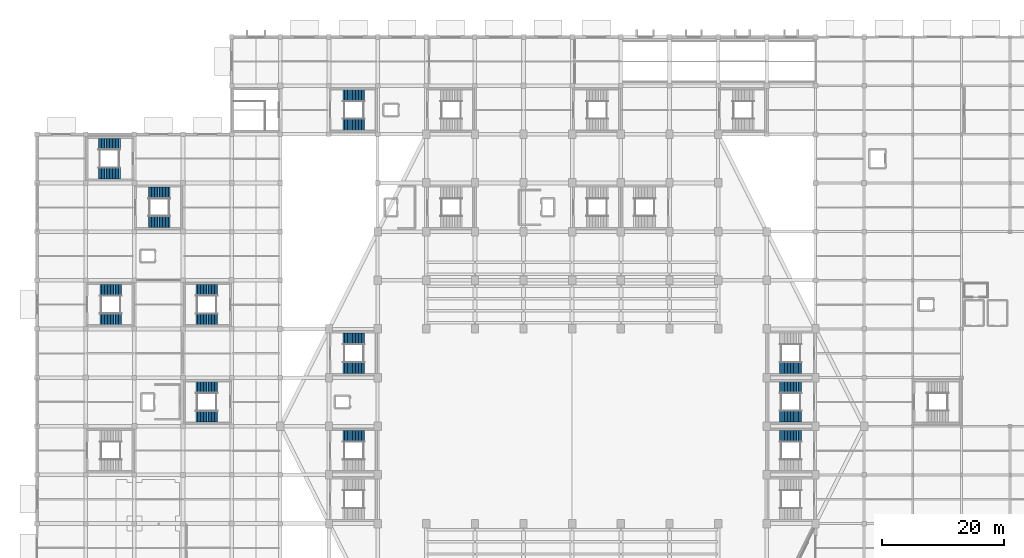
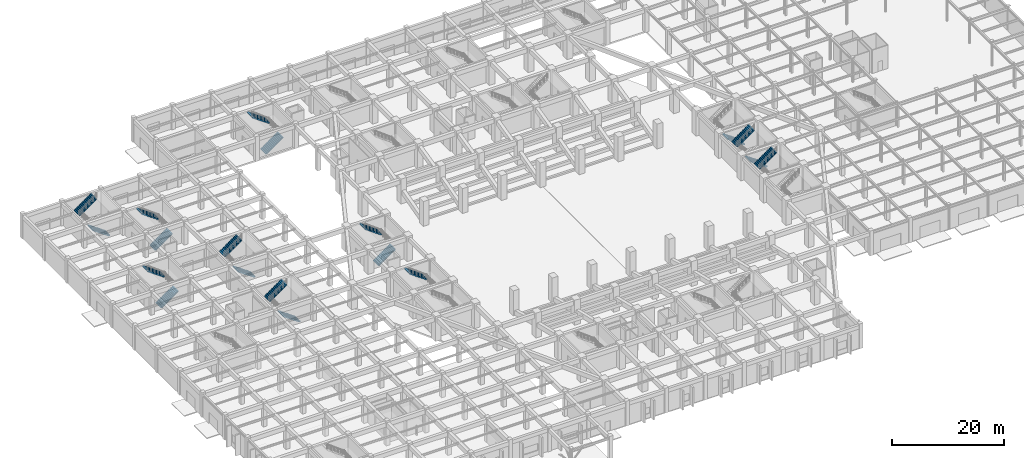
# One storey, part 33 of 39: 19 stair flights, 11 elements without a shape of their own.
"""IFC4 building model written with IfcOpenShell, lengths in metres."""

from ifc_helpers import new_model, si_unit, direction, frame, origin, place, context, subcontext, project, spatial, polyline, outline, extrude, material, type_object, element, aggregate, save


model = new_model("IFC4")

# Units and contexts
model_context = context("Model", 3, precision=1e-05, world=origin(), true_north=direction((0.0, 1.0)))
body_context = subcontext(model_context, "Body", "Model", "MODEL_VIEW")
ifc_project = project(units=[si_unit("LENGTHUNIT", "METRE"), si_unit("AREAUNIT", "SQUARE_METRE"), si_unit("VOLUMEUNIT", "CUBIC_METRE"), si_unit("PLANEANGLEUNIT", "RADIAN"), si_unit("MASSUNIT", "GRAM", prefix="KILO")], contexts=[model_context])

# Site, building, storey
site_placement = place(None, origin())
site = spatial("IfcSite", under=ifc_project, at=site_placement, CompositionType="ELEMENT")
building_placement = place(site_placement, origin())
building = spatial("IfcBuilding", under=site, at=building_placement, Name="Tazarka Park Arena", CompositionType="ELEMENT")
storey_placement = place(building_placement, origin())
storey = spatial("IfcBuildingStorey", under=building, at=storey_placement, Name="L00", CompositionType="ELEMENT", Elevation=0.0)

# Stair, stair flights
ifc_material_1 = material(Name="Precast concrete C40/50", Category="concrete")
stair_type_1 = type_object("IfcStairType", Name="STR-2400", PredefinedType="HALF_TURN_STAIR", material=ifc_material_1)
stair_1_placement = place(storey_placement, origin())
stair_1 = element("IfcStair", 1, at=stair_1_placement, inside=storey, type_object=stair_type_1, Name="Stair ST02 L00", PredefinedType="HALF_TURN_STAIR")
ifc_material_2 = material(Name="Precast concrete C40/50", Category="concrete")
stair_flight_type_1 = type_object("IfcStairFlightType", Name="FLT-1350", PredefinedType="STRAIGHT", material=ifc_material_2)
stair_flight_1_placement = place(storey_placement, frame((10.31494140625, 81.6298828125, 0.0), z_axis=(0.0, 0.0, 1.0), x_axis=(1.0, 0.0, 0.0)))
stair_flight_1 = element("IfcStairFlight", 2, at=stair_flight_1_placement, type_object=stair_flight_type_1, Name="ST02-L00 flight 1", NumberOfRisers=15, NumberOfTreads=14, PredefinedType="STRAIGHT", RiserHeight=0.18, TreadLength=0.255, context=body_context, shape_type="SweptSolid", body=[
    extrude(outline(polyline([(0.0, 0.0), (0.0, 0.179931640625), (0.2548828125, 0.179931640625), (0.2548828125, 0.360107421875), (0.510009765625, 0.360107421875), (0.510009765625, 0.5400390625), (0.764892578125, 0.5400390625), (0.764892578125, 0.719970703125), (1.02001953125, 0.719970703125), (1.02001953125, 0.89990234375), (1.27490234375, 0.89990234375), (1.27490234375, 1.080078125), (1.530029296875, 1.080078125), (1.530029296875, 1.260009765625), (1.784912109375, 1.260009765625), (1.784912109375, 1.43994140625), (2.0400390625, 1.43994140625), (2.0400390625, 1.6201171875), (2.294921875, 1.6201171875), (2.294921875, 1.800048828125), (2.550048828125, 1.800048828125), (2.550048828125, 1.97998046875), (2.804931640625, 1.97998046875), (2.804931640625, 2.159912109375), (3.06005859375, 2.159912109375), (3.06005859375, 2.340087890625), (3.31494140625, 2.340087890625), (3.31494140625, 2.52001953125), (3.570068359375, 2.52001953125), (3.570068359375, 2.699951171875), (3.570068359375, 2.2998046875), (0.31201171875, 0.0), (0.0, 0.0)])), frame((0.0, 0.969970703125, 0.0), z_axis=(0.0, -1.0, 0.0), x_axis=(1.0, 0.0, 0.0)), (0.0, 0.0, 1.0), 1.93994140625),
])
stair_flight_2_placement = place(storey_placement, frame((13.885009765625, 86.3701171875, 2.699951171875), z_axis=(0.0, 0.0, 1.0), x_axis=(-1.0, 0.0, 0.0)))
stair_flight_2 = element("IfcStairFlight", 3, at=stair_flight_2_placement, type_object=stair_flight_type_1, Name="ST02-L00 flight 2", NumberOfRisers=15, NumberOfTreads=14, PredefinedType="STRAIGHT", RiserHeight=0.18, TreadLength=0.255, context=body_context, shape_type="SweptSolid", body=[
    extrude(outline(polyline([(0.0, 0.0), (0.0, 0.179931640625), (0.2548828125, 0.179931640625), (0.2548828125, 0.360107421875), (0.510009765625, 0.360107421875), (0.510009765625, 0.5400390625), (0.764892578125, 0.5400390625), (0.764892578125, 0.719970703125), (1.02001953125, 0.719970703125), (1.02001953125, 0.89990234375), (1.27490234375, 0.89990234375), (1.27490234375, 1.080078125), (1.530029296875, 1.080078125), (1.530029296875, 1.260009765625), (1.784912109375, 1.260009765625), (1.784912109375, 1.43994140625), (2.0400390625, 1.43994140625), (2.0400390625, 1.6201171875), (2.294921875, 1.6201171875), (2.294921875, 1.800048828125), (2.550048828125, 1.800048828125), (2.550048828125, 1.97998046875), (2.804931640625, 1.97998046875), (2.804931640625, 2.159912109375), (3.06005859375, 2.159912109375), (3.06005859375, 2.340087890625), (3.31494140625, 2.340087890625), (3.31494140625, 2.52001953125), (3.570068359375, 2.52001953125), (3.570068359375, 2.699951171875), (3.570068359375, 2.2998046875), (0.31201171875, 0.0), (0.0, 0.0)])), frame((0.0, 0.969970703125, 0.0), z_axis=(0.0, -1.0, 0.0), x_axis=(1.0, 0.0, 0.0)), (0.0, 0.0, 1.0), 1.93994140625),
])
aggregate(stair_1, [stair_flight_1, stair_flight_2])

stair_2_placement = place(storey_placement, origin())
stair_2 = element("IfcStair", 4, at=stair_2_placement, inside=storey, type_object=stair_type_1, Name="Stair ST03 L00", PredefinedType="HALF_TURN_STAIR")
stair_flight_3_placement = place(storey_placement, frame((18.31494140625, 97.6298828125, 0.0), z_axis=(0.0, 0.0, 1.0), x_axis=(1.0, 0.0, 0.0)))
stair_flight_3 = element("IfcStairFlight", 5, at=stair_flight_3_placement, type_object=stair_flight_type_1, Name="ST03-L00 flight 1", NumberOfRisers=15, NumberOfTreads=14, PredefinedType="STRAIGHT", RiserHeight=0.18, TreadLength=0.255, context=body_context, shape_type="SweptSolid", body=[
    extrude(outline(polyline([(0.0, 0.0), (0.0, 0.179931640625), (0.2548828125, 0.179931640625), (0.2548828125, 0.360107421875), (0.510009765625, 0.360107421875), (0.510009765625, 0.5400390625), (0.764892578125, 0.5400390625), (0.764892578125, 0.719970703125), (1.02001953125, 0.719970703125), (1.02001953125, 0.89990234375), (1.27490234375, 0.89990234375), (1.27490234375, 1.080078125), (1.530029296875, 1.080078125), (1.530029296875, 1.260009765625), (1.784912109375, 1.260009765625), (1.784912109375, 1.43994140625), (2.0400390625, 1.43994140625), (2.0400390625, 1.6201171875), (2.294921875, 1.6201171875), (2.294921875, 1.800048828125), (2.550048828125, 1.800048828125), (2.550048828125, 1.97998046875), (2.804931640625, 1.97998046875), (2.804931640625, 2.159912109375), (3.06005859375, 2.159912109375), (3.06005859375, 2.340087890625), (3.31494140625, 2.340087890625), (3.31494140625, 2.52001953125), (3.570068359375, 2.52001953125), (3.570068359375, 2.699951171875), (3.570068359375, 2.2998046875), (0.31201171875, 0.0), (0.0, 0.0)])), frame((0.0, 0.969970703125, 0.0), z_axis=(0.0, -1.0, 0.0), x_axis=(1.0, 0.0, 0.0)), (0.0, 0.0, 1.0), 1.93994140625),
])
stair_flight_4_placement = place(storey_placement, frame((21.885009765625, 102.3701171875, 2.699951171875), z_axis=(0.0, 0.0, 1.0), x_axis=(-1.0, 0.0, 0.0)))
stair_flight_4 = element("IfcStairFlight", 6, at=stair_flight_4_placement, type_object=stair_flight_type_1, Name="ST03-L00 flight 2", NumberOfRisers=15, NumberOfTreads=14, PredefinedType="STRAIGHT", RiserHeight=0.18, TreadLength=0.255, context=body_context, shape_type="SweptSolid", body=[
    extrude(outline(polyline([(0.0, 0.0), (0.0, 0.179931640625), (0.2548828125, 0.179931640625), (0.2548828125, 0.360107421875), (0.510009765625, 0.360107421875), (0.510009765625, 0.5400390625), (0.764892578125, 0.5400390625), (0.764892578125, 0.719970703125), (1.02001953125, 0.719970703125), (1.02001953125, 0.89990234375), (1.27490234375, 0.89990234375), (1.27490234375, 1.080078125), (1.530029296875, 1.080078125), (1.530029296875, 1.260009765625), (1.784912109375, 1.260009765625), (1.784912109375, 1.43994140625), (2.0400390625, 1.43994140625), (2.0400390625, 1.6201171875), (2.294921875, 1.6201171875), (2.294921875, 1.800048828125), (2.550048828125, 1.800048828125), (2.550048828125, 1.97998046875), (2.804931640625, 1.97998046875), (2.804931640625, 2.159912109375), (3.06005859375, 2.159912109375), (3.06005859375, 2.340087890625), (3.31494140625, 2.340087890625), (3.31494140625, 2.52001953125), (3.570068359375, 2.52001953125), (3.570068359375, 2.699951171875), (3.570068359375, 2.2998046875), (0.31201171875, 0.0), (0.0, 0.0)])), frame((0.0, 0.969970703125, 0.0), z_axis=(0.0, -1.0, 0.0), x_axis=(1.0, 0.0, 0.0)), (0.0, 0.0, 1.0), 1.93994140625),
])
aggregate(stair_2, [stair_flight_3, stair_flight_4])

stair_3_placement = place(storey_placement, origin())
stair_3 = element("IfcStair", 7, at=stair_3_placement, inside=storey, type_object=stair_type_1, Name="Stair ST05 L00", PredefinedType="HALF_TURN_STAIR")
stair_flight_5_placement = place(storey_placement, frame((50.31494140625, 113.6298828125, 0.0), z_axis=(0.0, 0.0, 1.0), x_axis=(1.0, 0.0, 0.0)))
stair_flight_5 = element("IfcStairFlight", 8, at=stair_flight_5_placement, type_object=stair_flight_type_1, Name="ST05-L00 flight 1", NumberOfRisers=15, NumberOfTreads=14, PredefinedType="STRAIGHT", RiserHeight=0.18, TreadLength=0.255, context=body_context, shape_type="SweptSolid", body=[
    extrude(outline(polyline([(0.0, 0.0), (0.0, 0.179931640625), (0.2548828125, 0.179931640625), (0.2548828125, 0.360107421875), (0.510009765625, 0.360107421875), (0.510009765625, 0.5400390625), (0.764892578125, 0.5400390625), (0.764892578125, 0.719970703125), (1.02001953125, 0.719970703125), (1.02001953125, 0.89990234375), (1.27490234375, 0.89990234375), (1.27490234375, 1.080078125), (1.530029296875, 1.080078125), (1.530029296875, 1.260009765625), (1.784912109375, 1.260009765625), (1.784912109375, 1.43994140625), (2.0400390625, 1.43994140625), (2.0400390625, 1.6201171875), (2.294921875, 1.6201171875), (2.294921875, 1.800048828125), (2.550048828125, 1.800048828125), (2.550048828125, 1.97998046875), (2.804931640625, 1.97998046875), (2.804931640625, 2.159912109375), (3.06005859375, 2.159912109375), (3.06005859375, 2.340087890625), (3.31494140625, 2.340087890625), (3.31494140625, 2.52001953125), (3.570068359375, 2.52001953125), (3.570068359375, 2.699951171875), (3.570068359375, 2.2998046875), (0.31201171875, 0.0), (0.0, 0.0)])), frame((0.0, 0.969970703125, 0.0), z_axis=(0.0, -1.0, 0.0), x_axis=(1.0, 0.0, 0.0)), (0.0, 0.0, 1.0), 1.93994140625),
])
stair_flight_6_placement = place(storey_placement, frame((53.885009765625, 118.3701171875, 2.699951171875), z_axis=(0.0, 0.0, 1.0), x_axis=(-1.0, 0.0, 0.0)))
stair_flight_6 = element("IfcStairFlight", 9, at=stair_flight_6_placement, type_object=stair_flight_type_1, Name="ST05-L00 flight 2", NumberOfRisers=15, NumberOfTreads=14, PredefinedType="STRAIGHT", RiserHeight=0.18, TreadLength=0.255, context=body_context, shape_type="SweptSolid", body=[
    extrude(outline(polyline([(0.0, 0.0), (0.0, 0.179931640625), (0.2548828125, 0.179931640625), (0.2548828125, 0.360107421875), (0.510009765625, 0.360107421875), (0.510009765625, 0.5400390625), (0.764892578125, 0.5400390625), (0.764892578125, 0.719970703125), (1.02001953125, 0.719970703125), (1.02001953125, 0.89990234375), (1.27490234375, 0.89990234375), (1.27490234375, 1.080078125), (1.530029296875, 1.080078125), (1.530029296875, 1.260009765625), (1.784912109375, 1.260009765625), (1.784912109375, 1.43994140625), (2.0400390625, 1.43994140625), (2.0400390625, 1.6201171875), (2.294921875, 1.6201171875), (2.294921875, 1.800048828125), (2.550048828125, 1.800048828125), (2.550048828125, 1.97998046875), (2.804931640625, 1.97998046875), (2.804931640625, 2.159912109375), (3.06005859375, 2.159912109375), (3.06005859375, 2.340087890625), (3.31494140625, 2.340087890625), (3.31494140625, 2.52001953125), (3.570068359375, 2.52001953125), (3.570068359375, 2.699951171875), (3.570068359375, 2.2998046875), (0.31201171875, 0.0), (0.0, 0.0)])), frame((0.0, 0.969970703125, 0.0), z_axis=(0.0, -1.0, 0.0), x_axis=(1.0, 0.0, 0.0)), (0.0, 0.0, 1.0), 1.93994140625),
])
aggregate(stair_3, [stair_flight_5, stair_flight_6])

# Stair, stair flight
stair_4_placement = place(storey_placement, origin())
stair_4 = element("IfcStair", 10, at=stair_4_placement, inside=storey, type_object=stair_type_1, Name="Stair ST12 L00", PredefinedType="HALF_TURN_STAIR")
stair_flight_7_placement = place(storey_placement, frame((122.114990234375, 62.3701171875, 2.699951171875), z_axis=(0.0, 0.0, 1.0), x_axis=(1.0, 0.0, 0.0)))
stair_flight_7 = element("IfcStairFlight", 11, at=stair_flight_7_placement, type_object=stair_flight_type_1, Name="ST12-L00 flight 2", NumberOfRisers=15, NumberOfTreads=14, PredefinedType="STRAIGHT", RiserHeight=0.18, TreadLength=0.255, context=body_context, shape_type="SweptSolid", body=[
    extrude(outline(polyline([(0.0, 0.0), (0.0, 0.179931640625), (0.2548828125, 0.179931640625), (0.2548828125, 0.360107421875), (0.510009765625, 0.360107421875), (0.510009765625, 0.5400390625), (0.764892578125, 0.5400390625), (0.764892578125, 0.719970703125), (1.02001953125, 0.719970703125), (1.02001953125, 0.89990234375), (1.27490234375, 0.89990234375), (1.27490234375, 1.080078125), (1.530029296875, 1.080078125), (1.530029296875, 1.260009765625), (1.784912109375, 1.260009765625), (1.784912109375, 1.43994140625), (2.0400390625, 1.43994140625), (2.0400390625, 1.6201171875), (2.294921875, 1.6201171875), (2.294921875, 1.800048828125), (2.550048828125, 1.800048828125), (2.550048828125, 1.97998046875), (2.804931640625, 1.97998046875), (2.804931640625, 2.159912109375), (3.06005859375, 2.159912109375), (3.06005859375, 2.340087890625), (3.31494140625, 2.340087890625), (3.31494140625, 2.52001953125), (3.570068359375, 2.52001953125), (3.570068359375, 2.699951171875), (3.570068359375, 2.2998046875), (0.31201171875, 0.0), (0.0, 0.0)])), frame((0.0, 0.969970703125, 0.0), z_axis=(0.0, -1.0, 0.0), x_axis=(1.0, 0.0, 0.0)), (0.0, 0.0, 1.0), 1.93994140625),
])
aggregate(stair_4, [stair_flight_7])

stair_5_placement = place(storey_placement, origin())
stair_5 = element("IfcStair", 12, at=stair_5_placement, inside=storey, type_object=stair_type_1, Name="Stair ST13 L00", PredefinedType="HALF_TURN_STAIR")
stair_flight_8_placement = place(storey_placement, frame((53.885009765625, 62.3701171875, 2.699951171875), z_axis=(0.0, 0.0, 1.0), x_axis=(-1.0, 0.0, 0.0)))
stair_flight_8 = element("IfcStairFlight", 13, at=stair_flight_8_placement, type_object=stair_flight_type_1, Name="ST13-L00 flight 2", NumberOfRisers=15, NumberOfTreads=14, PredefinedType="STRAIGHT", RiserHeight=0.18, TreadLength=0.255, context=body_context, shape_type="SweptSolid", body=[
    extrude(outline(polyline([(0.0, 0.0), (0.0, 0.179931640625), (0.2548828125, 0.179931640625), (0.2548828125, 0.360107421875), (0.510009765625, 0.360107421875), (0.510009765625, 0.5400390625), (0.764892578125, 0.5400390625), (0.764892578125, 0.719970703125), (1.02001953125, 0.719970703125), (1.02001953125, 0.89990234375), (1.27490234375, 0.89990234375), (1.27490234375, 1.080078125), (1.530029296875, 1.080078125), (1.530029296875, 1.260009765625), (1.784912109375, 1.260009765625), (1.784912109375, 1.43994140625), (2.0400390625, 1.43994140625), (2.0400390625, 1.6201171875), (2.294921875, 1.6201171875), (2.294921875, 1.800048828125), (2.550048828125, 1.800048828125), (2.550048828125, 1.97998046875), (2.804931640625, 1.97998046875), (2.804931640625, 2.159912109375), (3.06005859375, 2.159912109375), (3.06005859375, 2.340087890625), (3.31494140625, 2.340087890625), (3.31494140625, 2.52001953125), (3.570068359375, 2.52001953125), (3.570068359375, 2.699951171875), (3.570068359375, 2.2998046875), (0.31201171875, 0.0), (0.0, 0.0)])), frame((0.0, 0.969970703125, 0.0), z_axis=(0.0, -1.0, 0.0), x_axis=(1.0, 0.0, 0.0)), (0.0, 0.0, 1.0), 1.93994140625),
])
aggregate(stair_5, [stair_flight_8])

# Stair, stair flights
stair_6_placement = place(storey_placement, origin())
stair_6 = element("IfcStair", 14, at=stair_6_placement, inside=storey, type_object=stair_type_1, Name="Stair ST16 L00", PredefinedType="HALF_TURN_STAIR")
stair_flight_9_placement = place(storey_placement, frame((125.68505859375, 65.6298828125, 0.0), z_axis=(0.0, 0.0, 1.0), x_axis=(-1.0, 0.0, 0.0)))
stair_flight_9 = element("IfcStairFlight", 15, at=stair_flight_9_placement, type_object=stair_flight_type_1, Name="ST16-L00 flight 1", NumberOfRisers=15, NumberOfTreads=14, PredefinedType="STRAIGHT", RiserHeight=0.18, TreadLength=0.255, context=body_context, shape_type="SweptSolid", body=[
    extrude(outline(polyline([(0.0, 0.0), (0.0, 0.179931640625), (0.2548828125, 0.179931640625), (0.2548828125, 0.360107421875), (0.510009765625, 0.360107421875), (0.510009765625, 0.5400390625), (0.764892578125, 0.5400390625), (0.764892578125, 0.719970703125), (1.02001953125, 0.719970703125), (1.02001953125, 0.89990234375), (1.27490234375, 0.89990234375), (1.27490234375, 1.080078125), (1.530029296875, 1.080078125), (1.530029296875, 1.260009765625), (1.784912109375, 1.260009765625), (1.784912109375, 1.43994140625), (2.0400390625, 1.43994140625), (2.0400390625, 1.6201171875), (2.294921875, 1.6201171875), (2.294921875, 1.800048828125), (2.550048828125, 1.800048828125), (2.550048828125, 1.97998046875), (2.804931640625, 1.97998046875), (2.804931640625, 2.159912109375), (3.06005859375, 2.159912109375), (3.06005859375, 2.340087890625), (3.31494140625, 2.340087890625), (3.31494140625, 2.52001953125), (3.570068359375, 2.52001953125), (3.570068359375, 2.699951171875), (3.570068359375, 2.2998046875), (0.31201171875, 0.0), (0.0, 0.0)])), frame((0.0, 0.969970703125, 0.0), z_axis=(0.0, -1.0, 0.0), x_axis=(1.0, 0.0, 0.0)), (0.0, 0.0, 1.0), 1.93994140625),
])
stair_flight_10_placement = place(storey_placement, frame((122.114990234375, 70.3701171875, 2.699951171875), z_axis=(0.0, 0.0, 1.0), x_axis=(1.0, 0.0, 0.0)))
stair_flight_10 = element("IfcStairFlight", 16, at=stair_flight_10_placement, type_object=stair_flight_type_1, Name="ST16-L00 flight 2", NumberOfRisers=15, NumberOfTreads=14, PredefinedType="STRAIGHT", RiserHeight=0.18, TreadLength=0.255, context=body_context, shape_type="SweptSolid", body=[
    extrude(outline(polyline([(0.0, 0.0), (0.0, 0.179931640625), (0.2548828125, 0.179931640625), (0.2548828125, 0.360107421875), (0.510009765625, 0.360107421875), (0.510009765625, 0.5400390625), (0.764892578125, 0.5400390625), (0.764892578125, 0.719970703125), (1.02001953125, 0.719970703125), (1.02001953125, 0.89990234375), (1.27490234375, 0.89990234375), (1.27490234375, 1.080078125), (1.530029296875, 1.080078125), (1.530029296875, 1.260009765625), (1.784912109375, 1.260009765625), (1.784912109375, 1.43994140625), (2.0400390625, 1.43994140625), (2.0400390625, 1.6201171875), (2.294921875, 1.6201171875), (2.294921875, 1.800048828125), (2.550048828125, 1.800048828125), (2.550048828125, 1.97998046875), (2.804931640625, 1.97998046875), (2.804931640625, 2.159912109375), (3.06005859375, 2.159912109375), (3.06005859375, 2.340087890625), (3.31494140625, 2.340087890625), (3.31494140625, 2.52001953125), (3.570068359375, 2.52001953125), (3.570068359375, 2.699951171875), (3.570068359375, 2.2998046875), (0.31201171875, 0.0), (0.0, 0.0)])), frame((0.0, 0.969970703125, 0.0), z_axis=(0.0, -1.0, 0.0), x_axis=(1.0, 0.0, 0.0)), (0.0, 0.0, 1.0), 1.93994140625),
])
aggregate(stair_6, [stair_flight_9, stair_flight_10])

ifc_material_3 = material(Name="Precast concrete C40/50", Category="concrete")
stair_type_2 = type_object("IfcStairType", Name="STR-1800", PredefinedType="HALF_TURN_STAIR", material=ifc_material_3)
stair_7_placement = place(storey_placement, origin())
stair_7 = element("IfcStair", 17, at=stair_7_placement, inside=storey, type_object=stair_type_2, Name="Vomitory Stair ST20 L00", PredefinedType="HALF_TURN_STAIR")
ifc_material_4 = material(Name="Precast concrete C40/50", Category="concrete")
stair_flight_type_2 = type_object("IfcStairFlightType", Name="FLT-1800", PredefinedType="STRAIGHT", material=ifc_material_4)
stair_flight_11_placement = place(storey_placement, frame((50.31494140625, 73.610107421875, 0.0), z_axis=(0.0, 0.0, 1.0), x_axis=(1.0, 0.0, 0.0)))
stair_flight_11 = element("IfcStairFlight", 18, at=stair_flight_11_placement, type_object=stair_flight_type_2, Name="ST20-L00 flight 1", NumberOfRisers=15, NumberOfTreads=14, PredefinedType="STRAIGHT", RiserHeight=0.18, TreadLength=0.255, context=body_context, shape_type="SweptSolid", body=[
    extrude(outline(polyline([(0.0, 0.0), (0.0, 0.179931640625), (0.2548828125, 0.179931640625), (0.2548828125, 0.360107421875), (0.510009765625, 0.360107421875), (0.510009765625, 0.5400390625), (0.764892578125, 0.5400390625), (0.764892578125, 0.719970703125), (1.02001953125, 0.719970703125), (1.02001953125, 0.89990234375), (1.27490234375, 0.89990234375), (1.27490234375, 1.080078125), (1.530029296875, 1.080078125), (1.530029296875, 1.260009765625), (1.784912109375, 1.260009765625), (1.784912109375, 1.43994140625), (2.0400390625, 1.43994140625), (2.0400390625, 1.6201171875), (2.294921875, 1.6201171875), (2.294921875, 1.800048828125), (2.550048828125, 1.800048828125), (2.550048828125, 1.97998046875), (2.804931640625, 1.97998046875), (2.804931640625, 2.159912109375), (3.06005859375, 2.159912109375), (3.06005859375, 2.340087890625), (3.31494140625, 2.340087890625), (3.31494140625, 2.52001953125), (3.570068359375, 2.52001953125), (3.570068359375, 2.699951171875), (3.570068359375, 2.2998046875), (0.31201171875, 0.0), (0.0, 0.0)])), frame((0.0, 0.949951171875, 0.0), z_axis=(0.0, -1.0, 0.0), x_axis=(1.0, 0.0, 0.0)), (0.0, 0.0, 1.0), 1.89990234375),
])
stair_flight_12_placement = place(storey_placement, frame((53.885009765625, 78.389892578125, 2.699951171875), z_axis=(0.0, 0.0, 1.0), x_axis=(-1.0, 0.0, 0.0)))
stair_flight_12 = element("IfcStairFlight", 19, at=stair_flight_12_placement, type_object=stair_flight_type_2, Name="ST20-L00 flight 2", NumberOfRisers=15, NumberOfTreads=14, PredefinedType="STRAIGHT", RiserHeight=0.18, TreadLength=0.255, context=body_context, shape_type="SweptSolid", body=[
    extrude(outline(polyline([(0.0, 0.0), (0.0, 0.179931640625), (0.2548828125, 0.179931640625), (0.2548828125, 0.360107421875), (0.510009765625, 0.360107421875), (0.510009765625, 0.5400390625), (0.764892578125, 0.5400390625), (0.764892578125, 0.719970703125), (1.02001953125, 0.719970703125), (1.02001953125, 0.89990234375), (1.27490234375, 0.89990234375), (1.27490234375, 1.080078125), (1.530029296875, 1.080078125), (1.530029296875, 1.260009765625), (1.784912109375, 1.260009765625), (1.784912109375, 1.43994140625), (2.0400390625, 1.43994140625), (2.0400390625, 1.6201171875), (2.294921875, 1.6201171875), (2.294921875, 1.800048828125), (2.550048828125, 1.800048828125), (2.550048828125, 1.97998046875), (2.804931640625, 1.97998046875), (2.804931640625, 2.159912109375), (3.06005859375, 2.159912109375), (3.06005859375, 2.340087890625), (3.31494140625, 2.340087890625), (3.31494140625, 2.52001953125), (3.570068359375, 2.52001953125), (3.570068359375, 2.699951171875), (3.570068359375, 2.2998046875), (0.31201171875, 0.0), (0.0, 0.0)])), frame((0.0, 0.949951171875, 0.0), z_axis=(0.0, -1.0, 0.0), x_axis=(1.0, 0.0, 0.0)), (0.0, 0.0, 1.0), 1.89990234375),
])
aggregate(stair_7, [stair_flight_11, stair_flight_12])

# Stair, stair flight
stair_8_placement = place(storey_placement, origin())
stair_8 = element("IfcStair", 20, at=stair_8_placement, inside=storey, type_object=stair_type_2, Name="Vomitory Stair ST22 L00", PredefinedType="HALF_TURN_STAIR")
stair_flight_13_placement = place(storey_placement, frame((125.68505859375, 73.610107421875, 0.0), z_axis=(0.0, 0.0, 1.0), x_axis=(-1.0, 0.0, 0.0)))
stair_flight_13 = element("IfcStairFlight", 21, at=stair_flight_13_placement, type_object=stair_flight_type_2, Name="ST22-L00 flight 1", NumberOfRisers=15, NumberOfTreads=14, PredefinedType="STRAIGHT", RiserHeight=0.18, TreadLength=0.255, context=body_context, shape_type="SweptSolid", body=[
    extrude(outline(polyline([(0.0, 0.0), (0.0, 0.179931640625), (0.2548828125, 0.179931640625), (0.2548828125, 0.360107421875), (0.510009765625, 0.360107421875), (0.510009765625, 0.5400390625), (0.764892578125, 0.5400390625), (0.764892578125, 0.719970703125), (1.02001953125, 0.719970703125), (1.02001953125, 0.89990234375), (1.27490234375, 0.89990234375), (1.27490234375, 1.080078125), (1.530029296875, 1.080078125), (1.530029296875, 1.260009765625), (1.784912109375, 1.260009765625), (1.784912109375, 1.43994140625), (2.0400390625, 1.43994140625), (2.0400390625, 1.6201171875), (2.294921875, 1.6201171875), (2.294921875, 1.800048828125), (2.550048828125, 1.800048828125), (2.550048828125, 1.97998046875), (2.804931640625, 1.97998046875), (2.804931640625, 2.159912109375), (3.06005859375, 2.159912109375), (3.06005859375, 2.340087890625), (3.31494140625, 2.340087890625), (3.31494140625, 2.52001953125), (3.570068359375, 2.52001953125), (3.570068359375, 2.699951171875), (3.570068359375, 2.2998046875), (0.31201171875, 0.0), (0.0, 0.0)])), frame((0.0, 0.949951171875, 0.0), z_axis=(0.0, -1.0, 0.0), x_axis=(1.0, 0.0, 0.0)), (0.0, 0.0, 1.0), 1.89990234375),
])
aggregate(stair_8, [stair_flight_13])

# Stair, stair flights
stair_9_placement = place(storey_placement, origin())
stair_9 = element("IfcStair", 22, at=stair_9_placement, inside=storey, type_object=stair_type_2, Name="Vomitory Stair ST24 L00", PredefinedType="HALF_TURN_STAIR")
stair_flight_14_placement = place(storey_placement, frame((29.68505859375, 65.610107421875, 0.0), z_axis=(0.0, 0.0, 1.0), x_axis=(-1.0, 0.0, 0.0)))
stair_flight_14 = element("IfcStairFlight", 23, at=stair_flight_14_placement, type_object=stair_flight_type_2, Name="ST24-L00 flight 1", NumberOfRisers=15, NumberOfTreads=14, PredefinedType="STRAIGHT", RiserHeight=0.18, TreadLength=0.255, context=body_context, shape_type="SweptSolid", body=[
    extrude(outline(polyline([(0.0, 0.0), (0.0, 0.179931640625), (0.2548828125, 0.179931640625), (0.2548828125, 0.360107421875), (0.510009765625, 0.360107421875), (0.510009765625, 0.5400390625), (0.764892578125, 0.5400390625), (0.764892578125, 0.719970703125), (1.02001953125, 0.719970703125), (1.02001953125, 0.89990234375), (1.27490234375, 0.89990234375), (1.27490234375, 1.080078125), (1.530029296875, 1.080078125), (1.530029296875, 1.260009765625), (1.784912109375, 1.260009765625), (1.784912109375, 1.43994140625), (2.0400390625, 1.43994140625), (2.0400390625, 1.6201171875), (2.294921875, 1.6201171875), (2.294921875, 1.800048828125), (2.550048828125, 1.800048828125), (2.550048828125, 1.97998046875), (2.804931640625, 1.97998046875), (2.804931640625, 2.159912109375), (3.06005859375, 2.159912109375), (3.06005859375, 2.340087890625), (3.31494140625, 2.340087890625), (3.31494140625, 2.52001953125), (3.570068359375, 2.52001953125), (3.570068359375, 2.699951171875), (3.570068359375, 2.2998046875), (0.31201171875, 0.0), (0.0, 0.0)])), frame((0.0, 0.949951171875, 0.0), z_axis=(0.0, -1.0, 0.0), x_axis=(1.0, 0.0, 0.0)), (0.0, 0.0, 1.0), 1.89990234375),
])
stair_flight_15_placement = place(storey_placement, frame((26.114990234375, 70.389892578125, 2.699951171875), z_axis=(0.0, 0.0, 1.0), x_axis=(1.0, 0.0, 0.0)))
stair_flight_15 = element("IfcStairFlight", 24, at=stair_flight_15_placement, type_object=stair_flight_type_2, Name="ST24-L00 flight 2", NumberOfRisers=15, NumberOfTreads=14, PredefinedType="STRAIGHT", RiserHeight=0.18, TreadLength=0.255, context=body_context, shape_type="SweptSolid", body=[
    extrude(outline(polyline([(0.0, 0.0), (0.0, 0.179931640625), (0.2548828125, 0.179931640625), (0.2548828125, 0.360107421875), (0.510009765625, 0.360107421875), (0.510009765625, 0.5400390625), (0.764892578125, 0.5400390625), (0.764892578125, 0.719970703125), (1.02001953125, 0.719970703125), (1.02001953125, 0.89990234375), (1.27490234375, 0.89990234375), (1.27490234375, 1.080078125), (1.530029296875, 1.080078125), (1.530029296875, 1.260009765625), (1.784912109375, 1.260009765625), (1.784912109375, 1.43994140625), (2.0400390625, 1.43994140625), (2.0400390625, 1.6201171875), (2.294921875, 1.6201171875), (2.294921875, 1.800048828125), (2.550048828125, 1.800048828125), (2.550048828125, 1.97998046875), (2.804931640625, 1.97998046875), (2.804931640625, 2.159912109375), (3.06005859375, 2.159912109375), (3.06005859375, 2.340087890625), (3.31494140625, 2.340087890625), (3.31494140625, 2.52001953125), (3.570068359375, 2.52001953125), (3.570068359375, 2.699951171875), (3.570068359375, 2.2998046875), (0.31201171875, 0.0), (0.0, 0.0)])), frame((0.0, 0.949951171875, 0.0), z_axis=(0.0, -1.0, 0.0), x_axis=(1.0, 0.0, 0.0)), (0.0, 0.0, 1.0), 1.89990234375),
])
aggregate(stair_9, [stair_flight_14, stair_flight_15])

stair_10_placement = place(storey_placement, origin())
stair_10 = element("IfcStair", 25, at=stair_10_placement, inside=storey, type_object=stair_type_2, Name="Vomitory Stair ST25 L00", PredefinedType="HALF_TURN_STAIR")
stair_flight_16_placement = place(storey_placement, frame((13.68505859375, 105.610107421875, 0.0), z_axis=(0.0, 0.0, 1.0), x_axis=(-1.0, 0.0, 0.0)))
stair_flight_16 = element("IfcStairFlight", 26, at=stair_flight_16_placement, type_object=stair_flight_type_2, Name="ST25-L00 flight 1", NumberOfRisers=15, NumberOfTreads=14, PredefinedType="STRAIGHT", RiserHeight=0.18, TreadLength=0.255, context=body_context, shape_type="SweptSolid", body=[
    extrude(outline(polyline([(0.0, 0.0), (0.0, 0.179931640625), (0.2548828125, 0.179931640625), (0.2548828125, 0.360107421875), (0.510009765625, 0.360107421875), (0.510009765625, 0.5400390625), (0.764892578125, 0.5400390625), (0.764892578125, 0.719970703125), (1.02001953125, 0.719970703125), (1.02001953125, 0.89990234375), (1.27490234375, 0.89990234375), (1.27490234375, 1.080078125), (1.530029296875, 1.080078125), (1.530029296875, 1.260009765625), (1.784912109375, 1.260009765625), (1.784912109375, 1.43994140625), (2.0400390625, 1.43994140625), (2.0400390625, 1.6201171875), (2.294921875, 1.6201171875), (2.294921875, 1.800048828125), (2.550048828125, 1.800048828125), (2.550048828125, 1.97998046875), (2.804931640625, 1.97998046875), (2.804931640625, 2.159912109375), (3.06005859375, 2.159912109375), (3.06005859375, 2.340087890625), (3.31494140625, 2.340087890625), (3.31494140625, 2.52001953125), (3.570068359375, 2.52001953125), (3.570068359375, 2.699951171875), (3.570068359375, 2.2998046875), (0.31201171875, 0.0), (0.0, 0.0)])), frame((0.0, 0.949951171875, 0.0), z_axis=(0.0, -1.0, 0.0), x_axis=(1.0, 0.0, 0.0)), (0.0, 0.0, 1.0), 1.89990234375),
])
stair_flight_17_placement = place(storey_placement, frame((10.114990234375, 110.389892578125, 2.699951171875), z_axis=(0.0, 0.0, 1.0), x_axis=(1.0, 0.0, 0.0)))
stair_flight_17 = element("IfcStairFlight", 27, at=stair_flight_17_placement, type_object=stair_flight_type_2, Name="ST25-L00 flight 2", NumberOfRisers=15, NumberOfTreads=14, PredefinedType="STRAIGHT", RiserHeight=0.18, TreadLength=0.255, context=body_context, shape_type="SweptSolid", body=[
    extrude(outline(polyline([(0.0, 0.0), (0.0, 0.179931640625), (0.2548828125, 0.179931640625), (0.2548828125, 0.360107421875), (0.510009765625, 0.360107421875), (0.510009765625, 0.5400390625), (0.764892578125, 0.5400390625), (0.764892578125, 0.719970703125), (1.02001953125, 0.719970703125), (1.02001953125, 0.89990234375), (1.27490234375, 0.89990234375), (1.27490234375, 1.080078125), (1.530029296875, 1.080078125), (1.530029296875, 1.260009765625), (1.784912109375, 1.260009765625), (1.784912109375, 1.43994140625), (2.0400390625, 1.43994140625), (2.0400390625, 1.6201171875), (2.294921875, 1.6201171875), (2.294921875, 1.800048828125), (2.550048828125, 1.800048828125), (2.550048828125, 1.97998046875), (2.804931640625, 1.97998046875), (2.804931640625, 2.159912109375), (3.06005859375, 2.159912109375), (3.06005859375, 2.340087890625), (3.31494140625, 2.340087890625), (3.31494140625, 2.52001953125), (3.570068359375, 2.52001953125), (3.570068359375, 2.699951171875), (3.570068359375, 2.2998046875), (0.31201171875, 0.0), (0.0, 0.0)])), frame((0.0, 0.949951171875, 0.0), z_axis=(0.0, -1.0, 0.0), x_axis=(1.0, 0.0, 0.0)), (0.0, 0.0, 1.0), 1.89990234375),
])
aggregate(stair_10, [stair_flight_16, stair_flight_17])

stair_11_placement = place(storey_placement, origin())
stair_11 = element("IfcStair", 28, at=stair_11_placement, inside=storey, type_object=stair_type_2, Name="Vomitory Stair ST26 L00", PredefinedType="HALF_TURN_STAIR")
stair_flight_18_placement = place(storey_placement, frame((29.68505859375, 81.610107421875, 0.0), z_axis=(0.0, 0.0, 1.0), x_axis=(-1.0, 0.0, 0.0)))
stair_flight_18 = element("IfcStairFlight", 29, at=stair_flight_18_placement, type_object=stair_flight_type_2, Name="ST26-L00 flight 1", NumberOfRisers=15, NumberOfTreads=14, PredefinedType="STRAIGHT", RiserHeight=0.18, TreadLength=0.255, context=body_context, shape_type="SweptSolid", body=[
    extrude(outline(polyline([(0.0, 0.0), (0.0, 0.179931640625), (0.2548828125, 0.179931640625), (0.2548828125, 0.360107421875), (0.510009765625, 0.360107421875), (0.510009765625, 0.5400390625), (0.764892578125, 0.5400390625), (0.764892578125, 0.719970703125), (1.02001953125, 0.719970703125), (1.02001953125, 0.89990234375), (1.27490234375, 0.89990234375), (1.27490234375, 1.080078125), (1.530029296875, 1.080078125), (1.530029296875, 1.260009765625), (1.784912109375, 1.260009765625), (1.784912109375, 1.43994140625), (2.0400390625, 1.43994140625), (2.0400390625, 1.6201171875), (2.294921875, 1.6201171875), (2.294921875, 1.800048828125), (2.550048828125, 1.800048828125), (2.550048828125, 1.97998046875), (2.804931640625, 1.97998046875), (2.804931640625, 2.159912109375), (3.06005859375, 2.159912109375), (3.06005859375, 2.340087890625), (3.31494140625, 2.340087890625), (3.31494140625, 2.52001953125), (3.570068359375, 2.52001953125), (3.570068359375, 2.699951171875), (3.570068359375, 2.2998046875), (0.31201171875, 0.0), (0.0, 0.0)])), frame((0.0, 0.949951171875, 0.0), z_axis=(0.0, -1.0, 0.0), x_axis=(1.0, 0.0, 0.0)), (0.0, 0.0, 1.0), 1.89990234375),
])
stair_flight_19_placement = place(storey_placement, frame((26.114990234375, 86.389892578125, 2.699951171875), z_axis=(0.0, 0.0, 1.0), x_axis=(1.0, 0.0, 0.0)))
stair_flight_19 = element("IfcStairFlight", 30, at=stair_flight_19_placement, type_object=stair_flight_type_2, Name="ST26-L00 flight 2", NumberOfRisers=15, NumberOfTreads=14, PredefinedType="STRAIGHT", RiserHeight=0.18, TreadLength=0.255, context=body_context, shape_type="SweptSolid", body=[
    extrude(outline(polyline([(0.0, 0.0), (0.0, 0.179931640625), (0.2548828125, 0.179931640625), (0.2548828125, 0.360107421875), (0.510009765625, 0.360107421875), (0.510009765625, 0.5400390625), (0.764892578125, 0.5400390625), (0.764892578125, 0.719970703125), (1.02001953125, 0.719970703125), (1.02001953125, 0.89990234375), (1.27490234375, 0.89990234375), (1.27490234375, 1.080078125), (1.530029296875, 1.080078125), (1.530029296875, 1.260009765625), (1.784912109375, 1.260009765625), (1.784912109375, 1.43994140625), (2.0400390625, 1.43994140625), (2.0400390625, 1.6201171875), (2.294921875, 1.6201171875), (2.294921875, 1.800048828125), (2.550048828125, 1.800048828125), (2.550048828125, 1.97998046875), (2.804931640625, 1.97998046875), (2.804931640625, 2.159912109375), (3.06005859375, 2.159912109375), (3.06005859375, 2.340087890625), (3.31494140625, 2.340087890625), (3.31494140625, 2.52001953125), (3.570068359375, 2.52001953125), (3.570068359375, 2.699951171875), (3.570068359375, 2.2998046875), (0.31201171875, 0.0), (0.0, 0.0)])), frame((0.0, 0.949951171875, 0.0), z_axis=(0.0, -1.0, 0.0), x_axis=(1.0, 0.0, 0.0)), (0.0, 0.0, 1.0), 1.89990234375),
])
aggregate(stair_11, [stair_flight_18, stair_flight_19])

save(model, "model.ifc")
